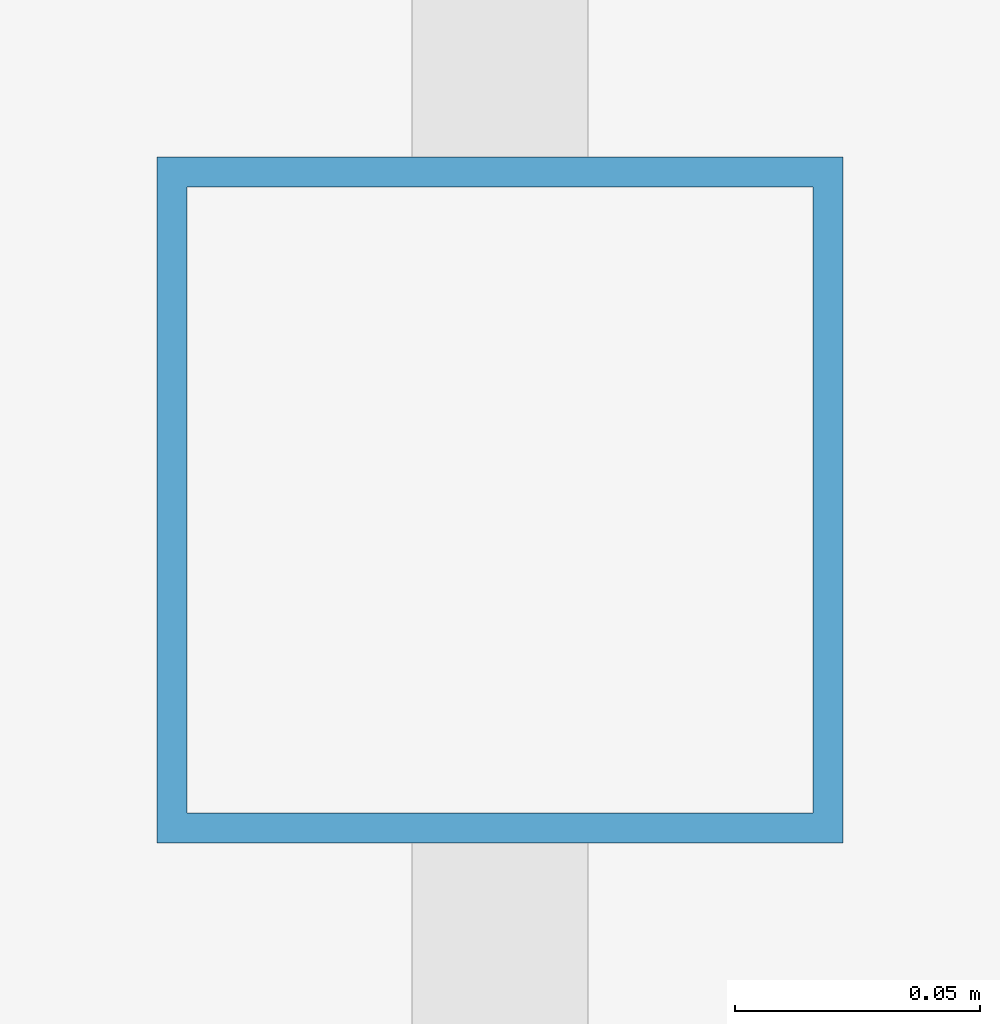
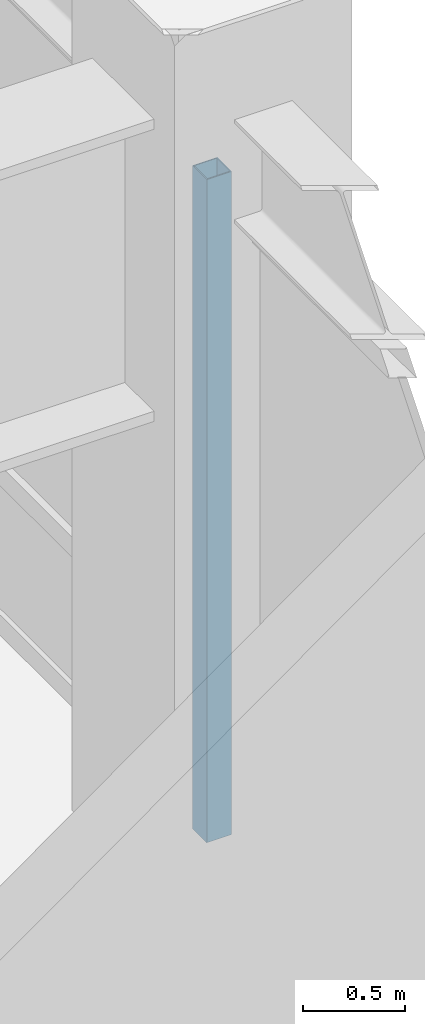
# One storey, part 12 of 33: 1 member, 1 element without a shape of its own.
"""IFC4 building model written with IfcOpenShell, lengths in metres."""

from ifc_helpers import new_model, si_unit, direction, frame, origin, origin_2d, place, context, subcontext, project, spatial, hollow_rectangle, extrude, source, transform, mapped, material, material_profile, profile_set, type_object, element, aggregate, save


model = new_model("IFC4")

# Units and contexts
model_context = context("Model", 3, precision=1e-05, world=origin(), true_north=direction((0.0, 1.0)))
body_context = subcontext(model_context, "Body", "Model", "MODEL_VIEW")
ifc_project = project(units=[si_unit("LENGTHUNIT", "METRE"), si_unit("AREAUNIT", "SQUARE_METRE"), si_unit("VOLUMEUNIT", "CUBIC_METRE"), si_unit("PLANEANGLEUNIT", "RADIAN"), si_unit("MASSUNIT", "GRAM", prefix="KILO")], contexts=[model_context])

# Site, building, storey
site_placement = place(None, origin())
site = spatial("IfcSite", under=ifc_project, at=site_placement, CompositionType="ELEMENT")
building_placement = place(site_placement, origin())
building = spatial("IfcBuilding", under=site, at=building_placement, Name="Khorayat Bourse Tower", CompositionType="ELEMENT")
storey_placement = place(building_placement, frame((0.0, 0.0, 263.10009765625)))
storey = spatial("IfcBuildingStorey", under=building, at=storey_placement, Name="L62", CompositionType="ELEMENT", Elevation=263.10009765625)

# Curtain wall, member
ifc_material = material(Name="Aluminium EN AW-6063 T6", Category="aluminium")
curtain_wall_type = type_object("IfcCurtainWallType", Name="CW-SYS-05", PredefinedType="NOTDEFINED", material=ifc_material)
curtain_wall_placement = place(storey_placement, origin())
curtain_wall = element("IfcCurtainWall", 1, at=curtain_wall_placement, inside=storey, type_object=curtain_wall_type, Name="L62 Curtain Wall CW-L62-E1", PredefinedType="NOTDEFINED")
ifc_material_profile = material_profile(ifc_material, hollow_rectangle(XDim=0.139892578125, YDim=0.139892578125, WallThickness=0.006103515625, at=origin_2d()), Name="ALU 140x140x6")
ifc_profile_set = profile_set([ifc_material_profile], Name="Aluminium EN AW-6063 T6")
member_type = type_object("IfcMemberType", Name="CWM-VERT-140", PredefinedType="MULLION", material=ifc_profile_set)
shared_shape = source(origin(), body_context, "Body", "SweptSolid", [
    extrude(hollow_rectangle(XDim=0.139892578125, YDim=0.139892578125, WallThickness=0.006103515625, at=origin_2d()), origin(), (0.0, 0.0, 1.0), 3.949951171875),
])
member_placement = place(storey_placement, frame((30.0, 0.0, 0.0), z_axis=(0.0, 0.0, 1.0), x_axis=(-1.0, 0.0, 0.0)))
member = element("IfcMember", 2, at=member_placement, type_object=member_type, Name="CW-L62-E1 Vertical Mullion 2", PredefinedType="MULLION", context=body_context, shape_type="MappedRepresentation", body=[
    mapped(shared_shape, transform((0.0, 0.0, 0.0), scale=1.0)),
])
aggregate(curtain_wall, [member])

save(model, "model.ifc")
